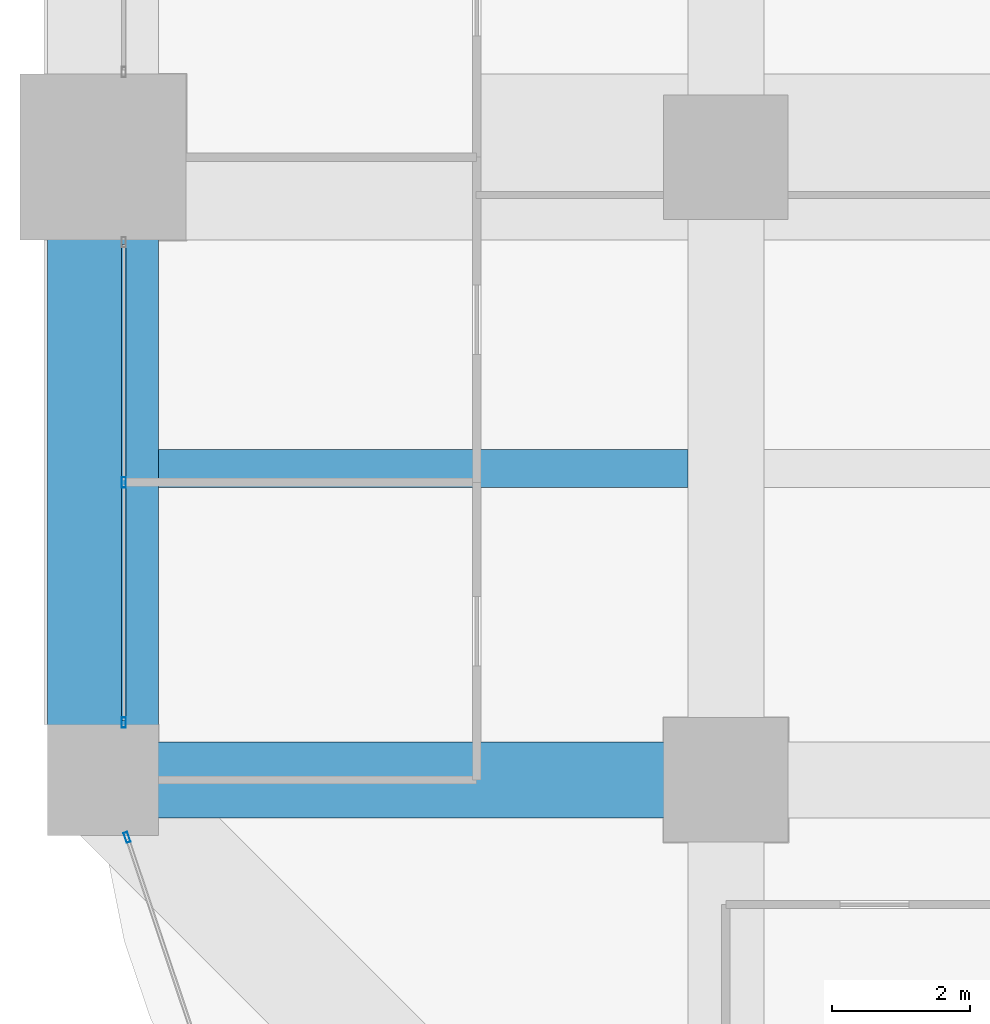
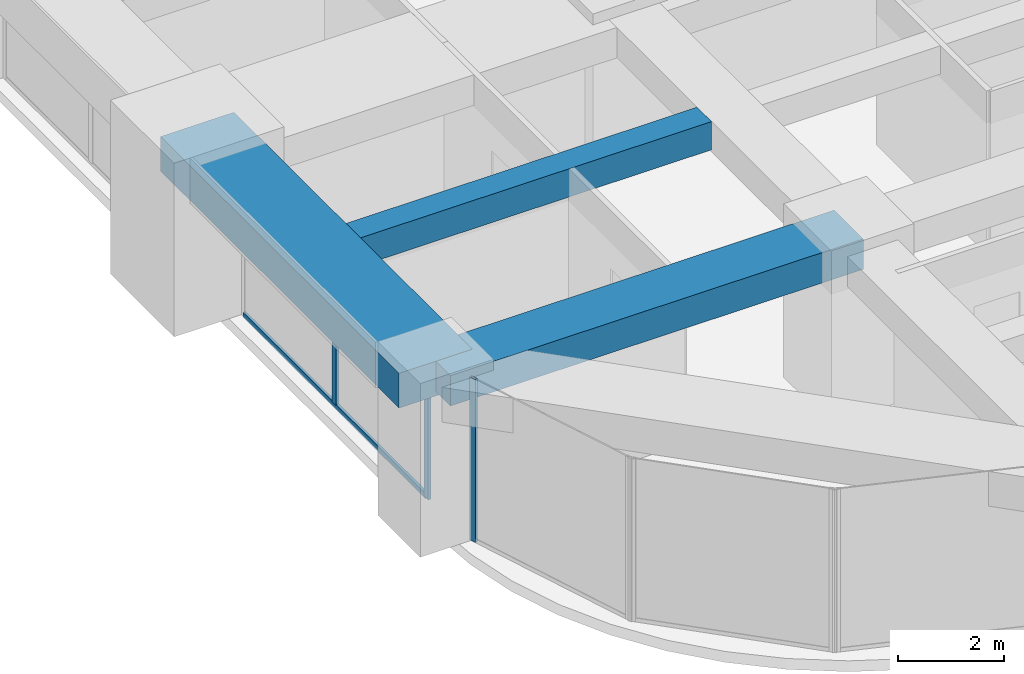
# One storey, part 4 of 43: 4 members, 3 beams, 2 elements without a shape of their own.
"""IFC4 building model written with IfcOpenShell, lengths in metres."""

from ifc_helpers import new_model, si_unit, direction, frame, origin, origin_2d, place, context, subcontext, project, spatial, rectangle, hollow_rectangle, extrude, material, material_profile, profile_set, type_object, element, aggregate, save


model = new_model("IFC4")

# Units and contexts
model_context = context("Model", 3, precision=1e-05, world=origin(), true_north=direction((0.0, 1.0)))
body_context = subcontext(model_context, "Body", "Model", "MODEL_VIEW")
ifc_project = project(units=[si_unit("LENGTHUNIT", "METRE"), si_unit("AREAUNIT", "SQUARE_METRE"), si_unit("VOLUMEUNIT", "CUBIC_METRE"), si_unit("PLANEANGLEUNIT", "RADIAN"), si_unit("MASSUNIT", "GRAM", prefix="KILO")], contexts=[model_context])

# Site, building, storey
site_placement = place(None, origin())
site = spatial("IfcSite", under=ifc_project, at=site_placement, CompositionType="ELEMENT")
building_placement = place(site_placement, origin())
building = spatial("IfcBuilding", under=site, at=building_placement, Name="Zorevar Civic Tower", CompositionType="ELEMENT")
storey_placement = place(building_placement, frame((0.0, 0.0, 141.0)))
storey = spatial("IfcBuildingStorey", under=building, at=storey_placement, Name="L34", CompositionType="ELEMENT", Elevation=141.0)

# Beams
ifc_material_1 = material(Name="Concrete C50/60", Category="concrete")
ifc_material_profile_1 = material_profile(ifc_material_1, rectangle(XDim=1.10009765625, YDim=0.699951171875, at=origin_2d()), Name="RC 1100x700")
ifc_profile_set_1 = profile_set([ifc_material_profile_1], Name="Concrete C50/60")
beam_type_1 = type_object("IfcBeamType", Name="Beam RC 1100x700", PredefinedType="BEAM", material=ifc_profile_set_1)
beam_1_placement = place(storey_placement, frame((0.0, 9.0, 3.39990234375), z_axis=(1.0, 0.0, 0.0), x_axis=(0.0, 1.0, 0.0)))
element("IfcBeam", 1, at=beam_1_placement, inside=storey, type_object=beam_type_1, Name="Girder L35", PredefinedType="BEAM", context=body_context, shape_type="SweptSolid", body=[
    extrude(rectangle(XDim=1.10009765625, YDim=0.699951171875, at=origin_2d()), origin(), (0.0, 0.0, 1.0), 9.0),
])
ifc_material_2 = material(Name="Concrete C50/60", Category="concrete")
ifc_material_profile_2 = material_profile(ifc_material_2, rectangle(XDim=0.550048828125, YDim=0.64990234375, at=origin_2d()), Name="RC 550x650")
ifc_profile_set_2 = profile_set([ifc_material_profile_2], Name="Concrete C50/60")
beam_type_2 = type_object("IfcBeamType", Name="Beam RC 550x650", PredefinedType="BEAM", material=ifc_profile_set_2)
beam_2_placement = place(storey_placement, frame((0.800048828125, 13.5, 3.425048828125), z_axis=(1.0, 0.0, 0.0), x_axis=(0.0, 1.0, 0.0)))
element("IfcBeam", 2, at=beam_2_placement, inside=storey, type_object=beam_type_2, Name="Secondary beam L35", PredefinedType="BEAM", context=body_context, shape_type="SweptSolid", body=[
    extrude(rectangle(XDim=0.550048828125, YDim=0.64990234375, at=origin_2d()), origin(), (0.0, 0.0, 1.0), 7.64990234375),
])

# Curtain wall, members
ifc_material_3 = material(Name="Dark grey solar-control glass in black aluminium frame", Category="aluminium")
curtain_wall_type = type_object("IfcCurtainWallType", Name="Curtain wall CW3 mid zone", PredefinedType="NOTDEFINED", material=ifc_material_3)
curtain_wall_1_placement = place(storey_placement, origin())
curtain_wall_1 = element("IfcCurtainWall", 3, at=curtain_wall_1_placement, inside=storey, type_object=curtain_wall_type, Name="CW3 L34", PredefinedType="NOTDEFINED")
ifc_material_4 = material(Name="Aluminium, black anodised", Category="aluminium")
ifc_material_profile_3 = material_profile(ifc_material_4, hollow_rectangle(XDim=0.06005859375, YDim=0.14990234375, WallThickness=0.00390625, at=origin_2d()), Name="AL 150x60x4")
ifc_profile_set_3 = profile_set([ifc_material_profile_3], Name="Aluminium, black anodised")
member_type_1 = type_object("IfcMemberType", Name="CW3 mullion AL 150x60x4", PredefinedType="MULLION", material=ifc_profile_set_3)
member_1_placement = place(storey_placement, frame((0.300048828125, 9.830078125, 0.0), z_axis=(0.0, 0.0, 1.0), x_axis=(-1.0, 0.0, 0.0)))
member_1 = element("IfcMember", 4, at=member_1_placement, type_object=member_type_1, Name="CW3 mullion 1", PredefinedType="MULLION", context=body_context, shape_type="SweptSolid", body=[
    extrude(hollow_rectangle(XDim=0.06005859375, YDim=0.14990234375, WallThickness=0.00390625, at=origin_2d()), origin(), (0.0, 0.0, 1.0), 2.949951171875),
])
member_2_placement = place(storey_placement, frame((0.300048828125, 13.300048828125, 0.06005859375), z_axis=(0.0, 0.0, 1.0), x_axis=(-1.0, 0.0, 0.0)))
member_2 = element("IfcMember", 5, at=member_2_placement, type_object=member_type_1, Name="CW3 mullion 2", PredefinedType="MULLION", context=body_context, shape_type="SweptSolid", body=[
    extrude(hollow_rectangle(XDim=0.06005859375, YDim=0.14990234375, WallThickness=0.00390625, at=origin_2d()), origin(), (0.0, 0.0, 1.0), 2.889892578125),
])

# Curtain wall, member
curtain_wall_2_placement = place(storey_placement, origin())
curtain_wall_2 = element("IfcCurtainWall", 6, at=curtain_wall_2_placement, inside=storey, type_object=curtain_wall_type, Name="CW3 L34", PredefinedType="NOTDEFINED")
member_3_placement = place(storey_placement, frame((0.346435546875, 8.171630859375, 0.0), z_axis=(0.0, 0.0, 1.0), x_axis=(0.948227238701, 0.317592669603, 0.0)))
member_3 = element("IfcMember", 7, at=member_3_placement, type_object=member_type_1, Name="CW3 mullion 1", PredefinedType="MULLION", context=body_context, shape_type="SweptSolid", body=[
    extrude(hollow_rectangle(XDim=0.06005859375, YDim=0.14990234375, WallThickness=0.00390625, at=origin_2d()), origin(), (0.0, 0.0, 1.0), 3.75),
])
aggregate(curtain_wall_2, [member_3])

# Member
ifc_material_5 = material(Name="Aluminium, black anodised", Category="aluminium")
ifc_material_profile_4 = material_profile(ifc_material_5, hollow_rectangle(XDim=0.06005859375, YDim=0.1201171875, WallThickness=0.0029296875, at=origin_2d()), Name="AL 120x60x3")
ifc_profile_set_4 = profile_set([ifc_material_profile_4], Name="Aluminium, black anodised")
member_type_2 = type_object("IfcMemberType", Name="CW3 transom AL 120x60x3", PredefinedType="USERDEFINED", material=ifc_profile_set_4)
member_4_placement = place(storey_placement, frame((0.300048828125, 9.860107421875, 0.030029296875), z_axis=(0.0, 1.0, 0.0), x_axis=(-1.0, 0.0, 0.0)))
member_4 = element("IfcMember", 8, at=member_4_placement, type_object=member_type_2, Name="CW3 sill transom", ObjectType="TRANSOM", PredefinedType="USERDEFINED", context=body_context, shape_type="SweptSolid", body=[
    extrude(hollow_rectangle(XDim=0.06005859375, YDim=0.1201171875, WallThickness=0.0029296875, at=origin_2d()), origin(), (0.0, 0.0, 1.0), 6.8798828125),
])

aggregate(curtain_wall_1, [member_1, member_2, member_4])

# Beam
ifc_material_6 = material(Name="Concrete C50/60", Category="concrete")
ifc_material_profile_5 = material_profile(ifc_material_6, rectangle(XDim=1.60009765625, YDim=0.800048828125, at=origin_2d()), Name="RC 1600x800")
ifc_profile_set_5 = profile_set([ifc_material_profile_5], Name="Concrete C50/60")
beam_type_3 = type_object("IfcBeamType", Name="Edge beam RC 1600x800", PredefinedType="SPANDREL", material=ifc_profile_set_5)
beam_3_placement = place(storey_placement, frame((0.0, 9.0, 3.35009765625), z_axis=(0.0, 1.0, 0.0), x_axis=(-1.0, 0.0, 0.0)))
element("IfcBeam", 9, at=beam_3_placement, inside=storey, type_object=beam_type_3, Name="Edge beam L35", PredefinedType="SPANDREL", context=body_context, shape_type="SweptSolid", body=[
    extrude(rectangle(XDim=1.60009765625, YDim=0.800048828125, at=origin_2d()), origin(), (0.0, 0.0, 1.0), 9.0),
])

save(model, "model.ifc")
